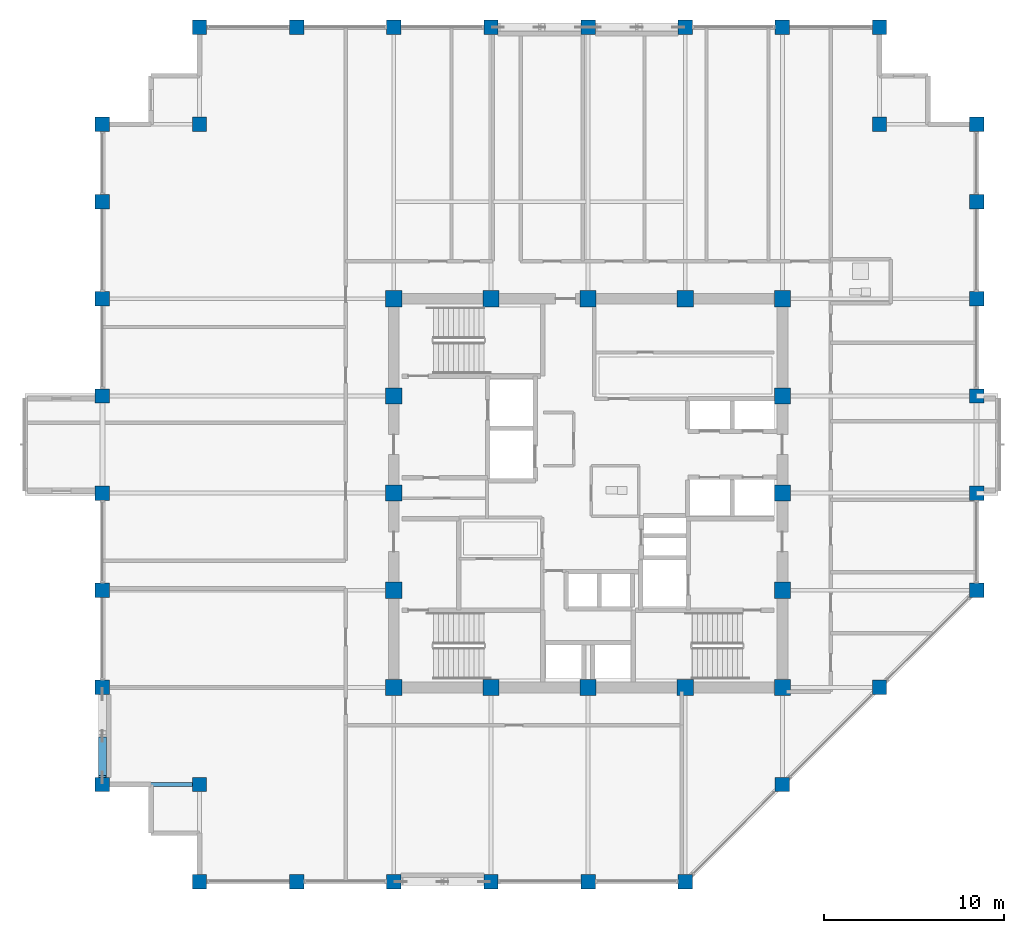
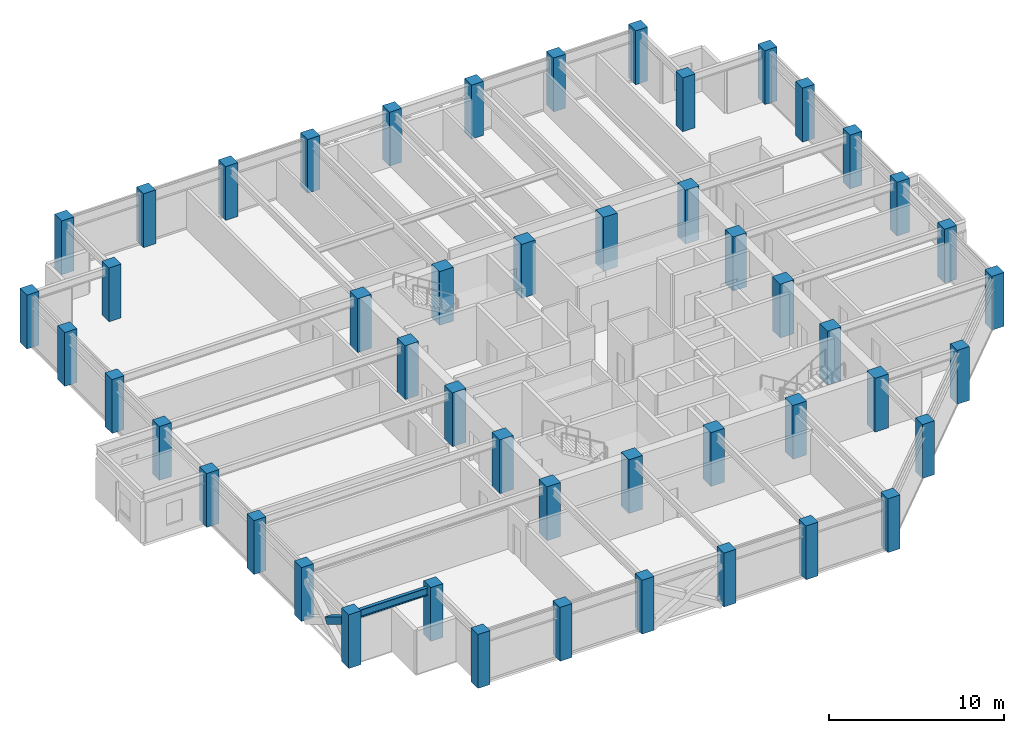
# One storey, part 1 of 28: 49 columns, 1 beam, 1 member.
"""IFC4 building model written with IfcOpenShell, lengths in metres."""

from ifc_helpers import new_model, si_unit, direction, frame, origin, origin_2d, place, context, subcontext, project, spatial, rectangle, hollow_rectangle, i_section, extrude, material, material_profile, profile_set, type_object, element, save


model = new_model("IFC4")

# Units and contexts
model_context = context("Model", 3, precision=1e-05, world=origin(), true_north=direction((0.0, 1.0)))
body_context = subcontext(model_context, "Body", "Model", "MODEL_VIEW")
ifc_project = project(units=[si_unit("LENGTHUNIT", "METRE"), si_unit("AREAUNIT", "SQUARE_METRE"), si_unit("VOLUMEUNIT", "CUBIC_METRE"), si_unit("PLANEANGLEUNIT", "RADIAN"), si_unit("MASSUNIT", "GRAM", prefix="KILO")], contexts=[model_context])

# Site, building, storey
site_placement = place(None, origin())
site = spatial("IfcSite", under=ifc_project, at=site_placement, CompositionType="ELEMENT")
building_placement = place(site_placement, origin())
building = spatial("IfcBuilding", under=site, at=building_placement, Name="Surkhivell Harbour Commons", CompositionType="ELEMENT")
storey_placement = place(building_placement, frame((0.0, 0.0, 242.25)))
storey = spatial("IfcBuildingStorey", under=building, at=storey_placement, Name="L63", CompositionType="ELEMENT", Elevation=242.25)

# Columns
ifc_material_1 = material(Name="Concrete C60/75", Category="concrete")
ifc_material_profile_1 = material_profile(ifc_material_1, rectangle(XDim=0.89990234375, YDim=0.89990234375, at=origin_2d()), Name="RC-COL-900x900")
ifc_profile_set_1 = profile_set([ifc_material_profile_1], Name="Concrete C60/75")
column_type_1 = type_object("IfcColumnType", Name="COL-TUBE-Z3A", PredefinedType="COLUMN", material=ifc_profile_set_1)
for number, where, z_axis, x_axis, name in (
    (1, (-10.800048828125, -10.800048828125, 0.0), (0.0, 0.0, 1.0), (1.0, 0.0, 0.0), "L63 Column CT-3A (-10.8,-10.8)"),
    (2, (-10.800048828125, -5.39990234375, 0.0), (0.0, 0.0, 1.0), (1.0, 0.0, 0.0), "L63 Column CT-3A (-10.8,-5.4)"),
    (3, (-10.800048828125, 0.0, 0.0), (0.0, 0.0, 1.0), (1.0, 0.0, 0.0), "L63 Column CT-3A (-10.8,0.0)"),
    (4, (-10.800048828125, 5.39990234375, 0.0), (0.0, 0.0, 1.0), (1.0, 0.0, 0.0), "L63 Column CT-3A (-10.8,5.4)"),
    (5, (-10.800048828125, 10.800048828125, 0.0), (0.0, 0.0, 1.0), (1.0, 0.0, 0.0), "L63 Column CT-3A (-10.8,10.8)"),
    (6, (-5.39990234375, -10.800048828125, 0.0), (0.0, 0.0, 1.0), (1.0, 0.0, 0.0), "L63 Column CT-3A (-5.4,-10.8)"),
    (7, (-5.39990234375, 10.800048828125, 0.0), (0.0, 0.0, 1.0), (1.0, 0.0, 0.0), "L63 Column CT-3A (-5.4,10.8)"),
    (8, (0.0, -10.800048828125, 0.0), (0.0, 0.0, 1.0), (1.0, 0.0, 0.0), "L63 Column CT-3A (0.0,-10.8)"),
    (9, (0.0, 10.800048828125, 0.0), (0.0, 0.0, 1.0), (1.0, 0.0, 0.0), "L63 Column CT-3A (0.0,10.8)"),
    (10, (5.39990234375, -10.800048828125, 0.0), (0.0, 0.0, 1.0), (1.0, 0.0, 0.0), "L63 Column CT-3A (5.4,-10.8)"),
    (11, (5.39990234375, 10.800048828125, 0.0), (0.0, 0.0, 1.0), (1.0, 0.0, 0.0), "L63 Column CT-3A (5.4,10.8)"),
    (12, (10.800048828125, -10.800048828125, 0.0), (0.0, 0.0, 1.0), (1.0, 0.0, 0.0), "L63 Column CT-3A (10.8,-10.8)"),
    (13, (10.800048828125, -5.39990234375, 0.0), (0.0, 0.0, 1.0), (1.0, 0.0, 0.0), "L63 Column CT-3A (10.8,-5.4)"),
    (14, (10.800048828125, 0.0, 0.0), (0.0, 0.0, 1.0), (1.0, 0.0, 0.0), "L63 Column CT-3A (10.8,0.0)"),
    (15, (10.800048828125, 5.39990234375, 0.0), (0.0, 0.0, 1.0), (1.0, 0.0, 0.0), "L63 Column CT-3A (10.8,5.4)"),
    (16, (10.800048828125, 10.800048828125, 0.0), (0.0, 0.0, 1.0), (1.0, 0.0, 0.0), "L63 Column CT-3A (10.8,10.8)"),
):
    element("IfcColumn", number, at=place(storey_placement, frame(where, z_axis=z_axis, x_axis=x_axis)), inside=storey, type_object=column_type_1, Name=name, PredefinedType="COLUMN", context=body_context, shape_type="SweptSolid", body=[
        extrude(rectangle(XDim=0.89990234375, YDim=0.89990234375, at=origin_2d()), origin(), (0.0, 0.0, 1.0), 3.75),
    ])
ifc_material_2 = material(Name="Concrete C50/60", Category="concrete")
ifc_material_profile_2 = material_profile(ifc_material_2, rectangle(XDim=0.800048828125, YDim=0.800048828125, at=origin_2d()), Name="RC-COL-800x800")
ifc_profile_set_2 = profile_set([ifc_material_profile_2], Name="Concrete C50/60")
column_type_2 = type_object("IfcColumnType", Name="COL-TUBE-Z3B", PredefinedType="COLUMN", material=ifc_profile_set_2)
for number, where, z_axis, x_axis, name in (
    (17, (-27.0, -16.199951171875, 0.0), (0.0, 0.0, 1.0), (1.0, 0.0, 0.0), "L63 Column CT-3B (-27.0,-16.2)"),
    (18, (-27.0, -10.800048828125, 0.0), (0.0, 0.0, 1.0), (1.0, 0.0, 0.0), "L63 Column CT-3B (-27.0,-10.8)"),
    (19, (-27.0, -5.39990234375, 0.0), (0.0, 0.0, 1.0), (1.0, 0.0, 0.0), "L63 Column CT-3B (-27.0,-5.4)"),
    (20, (-27.0, 0.0, 0.0), (0.0, 0.0, 1.0), (1.0, 0.0, 0.0), "L63 Column CT-3B (-27.0,0.0)"),
    (21, (-27.0, 5.39990234375, 0.0), (0.0, 0.0, 1.0), (1.0, 0.0, 0.0), "L63 Column CT-3B (-27.0,5.4)"),
    (22, (-27.0, 10.800048828125, 0.0), (0.0, 0.0, 1.0), (1.0, 0.0, 0.0), "L63 Column CT-3B (-27.0,10.8)"),
    (23, (-27.0, 16.199951171875, 0.0), (0.0, 0.0, 1.0), (1.0, 0.0, 0.0), "L63 Column CT-3B (-27.0,16.2)"),
    (24, (-27.0, 20.5, 0.0), (0.0, 0.0, 1.0), (1.0, 0.0, 0.0), "L63 Column CT-3B (-27.0,20.5)"),
    (25, (-21.60009765625, -21.60009765625, 0.0), (0.0, 0.0, 1.0), (1.0, 0.0, 0.0), "L63 Column CT-3B (-21.6,-21.6)"),
    (26, (-21.60009765625, -16.199951171875, 0.0), (0.0, 0.0, 1.0), (1.0, 0.0, 0.0), "L63 Column CT-3B (-21.6,-16.2)"),
    (27, (-21.60009765625, 20.5, 0.0), (0.0, 0.0, 1.0), (1.0, 0.0, 0.0), "L63 Column CT-3B (-21.6,20.5)"),
    (28, (-21.60009765625, 25.89990234375, 0.0), (0.0, 0.0, 1.0), (1.0, 0.0, 0.0), "L63 Column CT-3B (-21.6,25.9)"),
    (29, (-16.199951171875, -21.60009765625, 0.0), (0.0, 0.0, 1.0), (1.0, 0.0, 0.0), "L63 Column CT-3B (-16.2,-21.6)"),
    (30, (-16.199951171875, 25.89990234375, 0.0), (0.0, 0.0, 1.0), (1.0, 0.0, 0.0), "L63 Column CT-3B (-16.2,25.9)"),
    (31, (-10.800048828125, -21.60009765625, 0.0), (0.0, 0.0, 1.0), (1.0, 0.0, 0.0), "L63 Column CT-3B (-10.8,-21.6)"),
    (32, (-10.800048828125, 25.89990234375, 0.0), (0.0, 0.0, 1.0), (1.0, 0.0, 0.0), "L63 Column CT-3B (-10.8,25.9)"),
    (33, (-5.39990234375, -21.60009765625, 0.0), (0.0, 0.0, 1.0), (1.0, 0.0, 0.0), "L63 Column CT-3B (-5.4,-21.6)"),
    (34, (-5.39990234375, 25.89990234375, 0.0), (0.0, 0.0, 1.0), (1.0, 0.0, 0.0), "L63 Column CT-3B (-5.4,25.9)"),
    (35, (0.0, -21.60009765625, 0.0), (0.0, 0.0, 1.0), (1.0, 0.0, 0.0), "L63 Column CT-3B (-0.0,-21.6)"),
    (36, (0.0, 25.89990234375, 0.0), (0.0, 0.0, 1.0), (1.0, 0.0, 0.0), "L63 Column CT-3B (-0.0,25.9)"),
    (37, (5.39990234375, -21.60009765625, 0.0), (0.0, 0.0, 1.0), (1.0, 0.0, 0.0), "L63 Column CT-3B (5.4,-21.6)"),
    (38, (5.39990234375, 25.89990234375, 0.0), (0.0, 0.0, 1.0), (1.0, 0.0, 0.0), "L63 Column CT-3B (5.4,25.9)"),
    (39, (10.800048828125, -16.199951171875, 0.0), (0.0, 0.0, 1.0), (1.0, 0.0, 0.0), "L63 Column CT-3B (10.8,-16.2)"),
    (40, (10.800048828125, 25.89990234375, 0.0), (0.0, 0.0, 1.0), (1.0, 0.0, 0.0), "L63 Column CT-3B (10.8,25.9)"),
    (41, (16.199951171875, -10.800048828125, 0.0), (0.0, 0.0, 1.0), (1.0, 0.0, 0.0), "L63 Column CT-3B (16.2,-10.8)"),
    (42, (16.199951171875, 20.5, 0.0), (0.0, 0.0, 1.0), (1.0, 0.0, 0.0), "L63 Column CT-3B (16.2,20.5)"),
    (43, (16.199951171875, 25.89990234375, 0.0), (0.0, 0.0, 1.0), (1.0, 0.0, 0.0), "L63 Column CT-3B (16.2,25.9)"),
    (44, (21.60009765625, -5.39990234375, 0.0), (0.0, 0.0, 1.0), (1.0, 0.0, 0.0), "L63 Column CT-3B (21.6,-5.4)"),
    (45, (21.60009765625, 0.0, 0.0), (0.0, 0.0, 1.0), (1.0, 0.0, 0.0), "L63 Column CT-3B (21.6,0.0)"),
    (46, (21.60009765625, 5.39990234375, 0.0), (0.0, 0.0, 1.0), (1.0, 0.0, 0.0), "L63 Column CT-3B (21.6,5.4)"),
    (47, (21.60009765625, 10.800048828125, 0.0), (0.0, 0.0, 1.0), (1.0, 0.0, 0.0), "L63 Column CT-3B (21.6,10.8)"),
    (48, (21.60009765625, 16.199951171875, 0.0), (0.0, 0.0, 1.0), (1.0, 0.0, 0.0), "L63 Column CT-3B (21.6,16.2)"),
    (49, (21.60009765625, 20.5, 0.0), (0.0, 0.0, 1.0), (1.0, 0.0, 0.0), "L63 Column CT-3B (21.6,20.5)"),
):
    element("IfcColumn", number, at=place(storey_placement, frame(where, z_axis=z_axis, x_axis=x_axis)), inside=storey, type_object=column_type_2, Name=name, PredefinedType="COLUMN", context=body_context, shape_type="SweptSolid", body=[
        extrude(rectangle(XDim=0.800048828125, YDim=0.800048828125, at=origin_2d()), origin(), (0.0, 0.0, 1.0), 3.75),
    ])

# Beam
ifc_material_3 = material(Name="Steel S355", Category="steel")
ifc_material_profile_3 = material_profile(ifc_material_3, i_section(OverallWidth=0.2119140625, OverallDepth=0.5439453125, WebThickness=0.0126953125, FlangeThickness=0.021240234375, at=origin_2d()), Name="UB533x210x122")
ifc_profile_set_3 = profile_set([ifc_material_profile_3], Name="Steel S355")
beam_type = type_object("IfcBeamType", Name="BM-GRD-533A", PredefinedType="BEAM", material=ifc_profile_set_3)
beam_placement = place(storey_placement, frame((-27.0, -16.199951171875, 3.298095703125), z_axis=(1.0, 0.0, 0.0), x_axis=(0.0, 1.0, 0.0)))
element("IfcBeam", 50, at=beam_placement, inside=storey, type_object=beam_type, Name="L63 Floor Girder (-27.0,-16.2)", PredefinedType="BEAM", context=body_context, shape_type="SweptSolid", body=[
    extrude(i_section(OverallWidth=0.2119140625, OverallDepth=0.5439453125, WebThickness=0.0126953125, FlangeThickness=0.021240234375, at=origin_2d()), origin(), (0.0, 0.0, 1.0), 5.39990234375),
])

# Member
ifc_material_4 = material(Name="Steel S460", Category="steel")
ifc_material_profile_4 = material_profile(ifc_material_4, hollow_rectangle(XDim=0.449951171875, YDim=0.449951171875, WallThickness=0.02197265625, at=origin_2d()), Name="SHS450x450x22")
ifc_profile_set_4 = profile_set([ifc_material_profile_4], Name="Steel S460")
member_type = type_object("IfcMemberType", Name="MEM-BRC-SHS450", PredefinedType="BRACE", material=ifc_profile_set_4)
member_placement = place(storey_placement, frame((-27.0, -13.684814453125, 1.517578125), z_axis=(0.0, -0.856017753989, 0.516946423584), x_axis=(1.0, 0.0, 0.0)))
element("IfcMember", 51, at=member_placement, inside=storey, type_object=member_type, Name="L63 Perimeter Mega-Brace MB- 12", PredefinedType="BRACE", context=body_context, shape_type="SweptSolid", body=[
    extrude(hollow_rectangle(XDim=0.449951171875, YDim=0.449951171875, WallThickness=0.02197265625, at=origin_2d()), origin(), (0.0, 0.0, 1.0), 2.488525390625),
])

save(model, "model.ifc")
